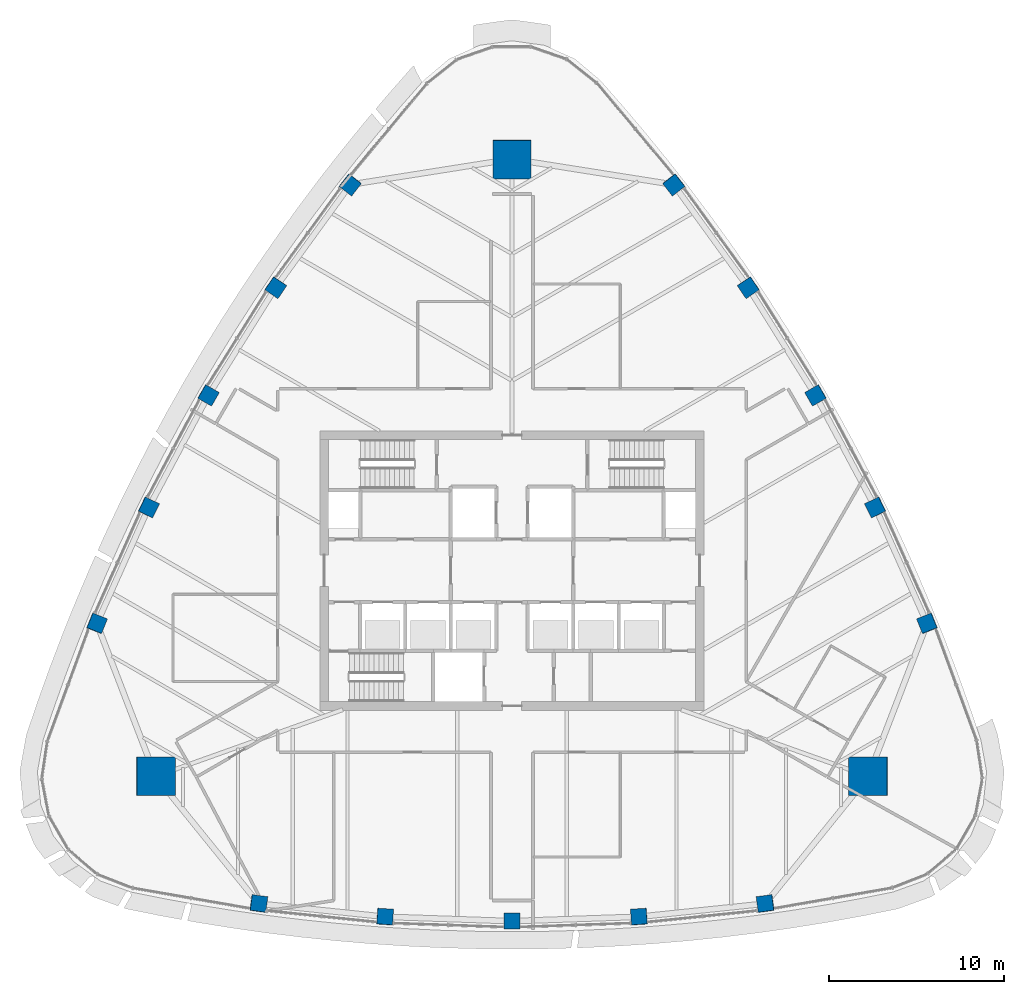
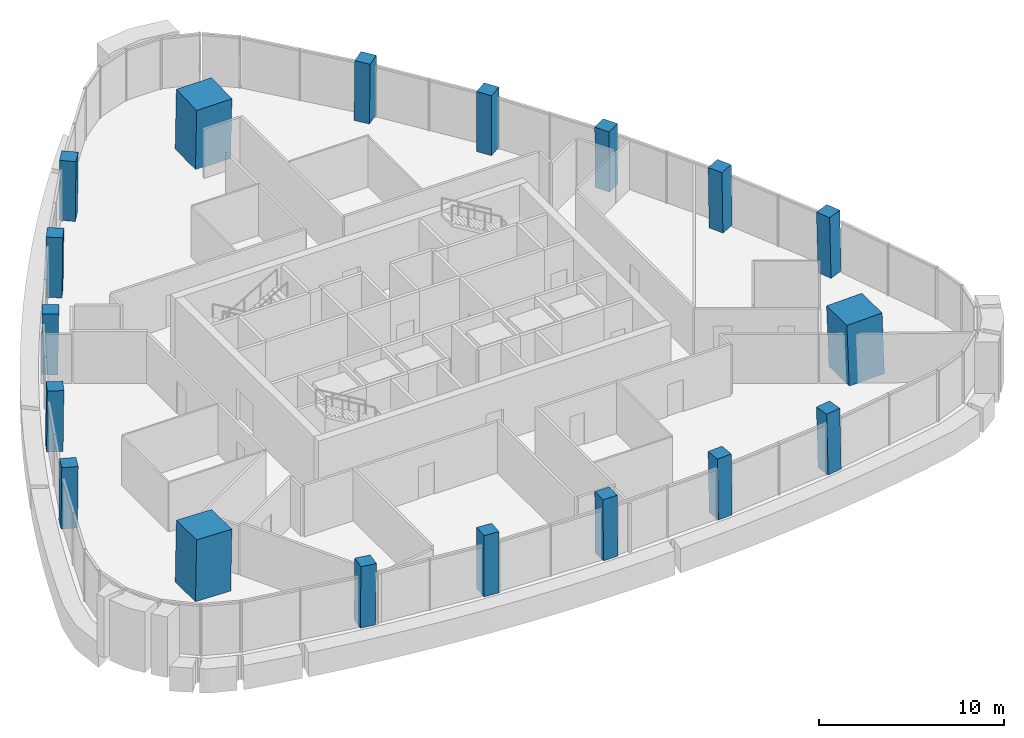
# One storey, part 1 of 15: 18 columns.
"""IFC4 building model written with IfcOpenShell, lengths in metres."""

from ifc_helpers import new_model, si_unit, direction, frame, origin, origin_2d, place, context, subcontext, project, spatial, rectangle, extrude, material, material_profile, profile_set, type_object, element, save


model = new_model("IFC4")

# Units and contexts
model_context = context("Model", 3, precision=1e-05, world=origin(), true_north=direction((0.0, 1.0)))
body_context = subcontext(model_context, "Body", "Model", "MODEL_VIEW")
ifc_project = project(units=[si_unit("LENGTHUNIT", "METRE"), si_unit("AREAUNIT", "SQUARE_METRE"), si_unit("VOLUMEUNIT", "CUBIC_METRE"), si_unit("PLANEANGLEUNIT", "RADIAN"), si_unit("MASSUNIT", "GRAM", prefix="KILO")], contexts=[model_context])

# Site, building, storey
site_placement = place(None, origin())
site = spatial("IfcSite", under=ifc_project, at=site_placement, CompositionType="ELEMENT")
building_placement = place(site_placement, origin())
building = spatial("IfcBuilding", under=site, at=building_placement, Name="Sierra Prisma Convention Tower", CompositionType="ELEMENT")
storey_placement = place(building_placement, frame((0.0, 0.0, 299.0)))
storey = spatial("IfcBuildingStorey", under=building, at=storey_placement, Name="L68", CompositionType="ELEMENT", Elevation=299.0)

# Columns
ifc_material_1 = material(Name="Concrete C50/60", Category="concrete")
ifc_material_profile_1 = material_profile(ifc_material_1, rectangle(XDim=2.199951171875, YDim=2.199951171875, at=origin_2d()), Name="Mega column RC 2200 C50/60")
ifc_profile_set_1 = profile_set([ifc_material_profile_1], Name="Concrete C50/60")
column_type_1 = type_object("IfcColumnType", Name="Mega column RC 2200 C50/60", PredefinedType="COLUMN", material=ifc_profile_set_1)
for number, where, z_axis, x_axis, name in (
    (1, (20.400146484375, -11.778076171875, 0.0), (-0.027695790401, 0.015983033227, 0.999488612163), (0.999616398022, 0.00044283261, 0.027692249912), "Mega column SE L68"),
    (2, (0.0, 23.555908203125, 0.0), (0.0, -0.031966077398, 0.999488954364), (1.0, 0.0, 0.0), "Mega column N L68"),
    (3, (-20.400146484375, -11.778076171875, 0.0), (0.027695790401, 0.015983033227, 0.999488612163), (0.999616398022, -0.00044283261, -0.027692249912), "Mega column SW L68"),
):
    element("IfcColumn", number, at=place(storey_placement, frame(where, z_axis=z_axis, x_axis=x_axis)), inside=storey, type_object=column_type_1, Name=name, PredefinedType="COLUMN", context=body_context, shape_type="SweptSolid", body=[
        extrude(rectangle(XDim=2.199951171875, YDim=2.199951171875, at=origin_2d()), origin(), (0.0, 0.0, 1.0), 4.001953125),
    ])
ifc_material_2 = material(Name="Concrete C50/60", Category="concrete")
ifc_material_profile_2 = material_profile(ifc_material_2, rectangle(XDim=0.89990234375, YDim=0.89990234375, at=origin_2d()), Name="Perimeter column RC 900 C50/60")
ifc_profile_set_2 = profile_set([ifc_material_profile_2], Name="Concrete C50/60")
column_type_2 = type_object("IfcColumnType", Name="Perimeter column RC 900 C50/60", PredefinedType="COLUMN", material=ifc_profile_set_2)
column_1_placement = place(storey_placement, frame((-14.501953125, -19.064697265625, 0.0), z_axis=(0.017452456582, 0.010373837829, 0.999793876381), x_axis=(-0.99036627662, 0.137561189622, 0.015860556206)))
element("IfcColumn", 4, at=column_1_placement, inside=storey, type_object=column_type_2, Name="Perimeter column S-1 L68", PredefinedType="COLUMN", context=body_context, shape_type="SweptSolid", body=[
    extrude(rectangle(XDim=0.89990234375, YDim=0.89990234375, at=origin_2d()), origin(), (0.0, 0.0, 1.0), 4.000732421875),
])
column_2_placement = place(storey_placement, frame((-7.268310546875, -19.815185546875, 0.0), z_axis=(0.008727150594, 0.011168311599, 0.999899547784), x_axis=(-0.997588475769, 0.068950994539, 0.00793683594)))
element("IfcColumn", 5, at=column_2_placement, inside=storey, type_object=column_type_2, Name="Perimeter column S-2 L68", PredefinedType="COLUMN", context=body_context, shape_type="SweptSolid", body=[
    extrude(rectangle(XDim=0.89990234375, YDim=0.89990234375, at=origin_2d()), origin(), (0.0, 0.0, 1.0), 4.00048828125),
])
column_3_placement = place(storey_placement, frame((0.0, -20.065673828125, 0.0), z_axis=(0.0, 0.01141283087, 0.999934871525), x_axis=(1.0, 0.0, 0.0)))
element("IfcColumn", 6, at=column_3_placement, inside=storey, type_object=column_type_2, Name="Perimeter column S-3 L68", PredefinedType="COLUMN", context=body_context, shape_type="SweptSolid", body=[
    extrude(rectangle(XDim=0.89990234375, YDim=0.89990234375, at=origin_2d()), origin(), (0.0, 0.0, 1.0), 4.000244140625),
])
column_4_placement = place(storey_placement, frame((7.268310546875, -19.815185546875, 0.0), z_axis=(-0.008727150594, 0.011168311599, 0.999899547784), x_axis=(0.997588475769, 0.068950994539, 0.00793683594)))
element("IfcColumn", 7, at=column_4_placement, inside=storey, type_object=column_type_2, Name="Perimeter column S-4 L68", PredefinedType="COLUMN", context=body_context, shape_type="SweptSolid", body=[
    extrude(rectangle(XDim=0.89990234375, YDim=0.89990234375, at=origin_2d()), origin(), (0.0, 0.0, 1.0), 4.00048828125),
])
for number, where, z_axis, x_axis, name in (
    (8, (14.501953125, -19.064697265625, 0.0), (-0.017452456582, 0.010373837829, 0.999793876381), (0.99036627662, 0.137561189622, 0.015860556206), "Perimeter column S-5 L68"),
    (9, (23.76171875, -3.026611328125, 0.0), (-0.017696558482, 0.009885663704, 0.999794531627), (-0.376217086223, 0.926396492836, -0.015819042166), "Perimeter column NE-1 L68"),
):
    element("IfcColumn", number, at=place(storey_placement, frame(where, z_axis=z_axis, x_axis=x_axis)), inside=storey, type_object=column_type_2, Name=name, PredefinedType="COLUMN", context=body_context, shape_type="SweptSolid", body=[
        extrude(rectangle(XDim=0.89990234375, YDim=0.89990234375, at=origin_2d()), origin(), (0.0, 0.0, 1.0), 4.000732421875),
    ])
column_5_placement = place(storey_placement, frame((20.794677734375, 3.613037109375, 0.0), z_axis=(-0.014097691364, 0.002013955909, 0.999898594398), x_axis=(-0.439136769139, 0.898384596408, -0.008000932944)))
element("IfcColumn", 10, at=column_5_placement, inside=storey, type_object=column_type_2, Name="Perimeter column NE-2 L68", PredefinedType="COLUMN", context=body_context, shape_type="SweptSolid", body=[
    extrude(rectangle(XDim=0.89990234375, YDim=0.89990234375, at=origin_2d()), origin(), (0.0, 0.0, 1.0), 4.00048828125),
])
column_6_placement = place(storey_placement, frame((17.37744140625, 10.032958984375, 0.0), z_axis=(-0.009887049298, -0.00573692984, 0.999934664812), x_axis=(-0.499975560967, 0.866039512843, 2.5126546e-05)))
element("IfcColumn", 11, at=column_6_placement, inside=storey, type_object=column_type_2, Name="Perimeter column NE-3 L68", PredefinedType="COLUMN", context=body_context, shape_type="SweptSolid", body=[
    extrude(rectangle(XDim=0.89990234375, YDim=0.89990234375, at=origin_2d()), origin(), (0.0, 0.0, 1.0), 4.000244140625),
])
column_7_placement = place(storey_placement, frame((13.5263671875, 16.2021484375, 0.0), z_axis=(-0.005309522349, -0.013182262383, 0.999899013366), x_axis=(-0.558438182302, 0.829507846135, 0.007970554987)))
element("IfcColumn", 12, at=column_7_placement, inside=storey, type_object=column_type_2, Name="Perimeter column NE-4 L68", PredefinedType="COLUMN", context=body_context, shape_type="SweptSolid", body=[
    extrude(rectangle(XDim=0.89990234375, YDim=0.89990234375, at=origin_2d()), origin(), (0.0, 0.0, 1.0), 4.00048828125),
])
for number, where, z_axis, x_axis, name in (
    (13, (9.259521484375, 22.091552734375, 0.0), (-0.000244090207, -0.020320509722, 0.999793487329), (-0.614241110074, 0.788958498977, 0.015885389143), "Perimeter column NE-5 L68"),
    (14, (-9.259521484375, 22.091552734375, 0.0), (0.000244090207, -0.020320509722, 0.999793487329), (0.614241110074, 0.788958498977, 0.015885389143), "Perimeter column NW-1 L68"),
):
    element("IfcColumn", number, at=place(storey_placement, frame(where, z_axis=z_axis, x_axis=x_axis)), inside=storey, type_object=column_type_2, Name=name, PredefinedType="COLUMN", context=body_context, shape_type="SweptSolid", body=[
        extrude(rectangle(XDim=0.89990234375, YDim=0.89990234375, at=origin_2d()), origin(), (0.0, 0.0, 1.0), 4.000732421875),
    ])
column_8_placement = place(storey_placement, frame((-13.5263671875, 16.2021484375, 0.0), z_axis=(0.005309522349, -0.013182262383, 0.999899013366), x_axis=(0.558438182302, 0.829507846135, 0.007970554987)))
element("IfcColumn", 15, at=column_8_placement, inside=storey, type_object=column_type_2, Name="Perimeter column NW-2 L68", PredefinedType="COLUMN", context=body_context, shape_type="SweptSolid", body=[
    extrude(rectangle(XDim=0.89990234375, YDim=0.89990234375, at=origin_2d()), origin(), (0.0, 0.0, 1.0), 4.00048828125),
])
column_9_placement = place(storey_placement, frame((-17.37744140625, 10.032958984375, 0.0), z_axis=(0.009887049298, -0.00573692984, 0.999934664812), x_axis=(0.499975560967, 0.866039512843, 2.5126546e-05)))
element("IfcColumn", 16, at=column_9_placement, inside=storey, type_object=column_type_2, Name="Perimeter column NW-3 L68", PredefinedType="COLUMN", context=body_context, shape_type="SweptSolid", body=[
    extrude(rectangle(XDim=0.89990234375, YDim=0.89990234375, at=origin_2d()), origin(), (0.0, 0.0, 1.0), 4.000244140625),
])
column_10_placement = place(storey_placement, frame((-20.794677734375, 3.613037109375, 0.0), z_axis=(0.014097691364, 0.002013955909, 0.999898594398), x_axis=(0.439136769139, 0.898384596408, -0.008000932944)))
element("IfcColumn", 17, at=column_10_placement, inside=storey, type_object=column_type_2, Name="Perimeter column NW-4 L68", PredefinedType="COLUMN", context=body_context, shape_type="SweptSolid", body=[
    extrude(rectangle(XDim=0.89990234375, YDim=0.89990234375, at=origin_2d()), origin(), (0.0, 0.0, 1.0), 4.00048828125),
])
column_11_placement = place(storey_placement, frame((-23.76171875, -3.026611328125, 0.0), z_axis=(0.017696558482, 0.009885663704, 0.999794531627), x_axis=(0.376217086223, 0.926396492836, -0.015819042166)))
element("IfcColumn", 18, at=column_11_placement, inside=storey, type_object=column_type_2, Name="Perimeter column NW-5 L68", PredefinedType="COLUMN", context=body_context, shape_type="SweptSolid", body=[
    extrude(rectangle(XDim=0.89990234375, YDim=0.89990234375, at=origin_2d()), origin(), (0.0, 0.0, 1.0), 4.000732421875),
])

save(model, "model.ifc")
